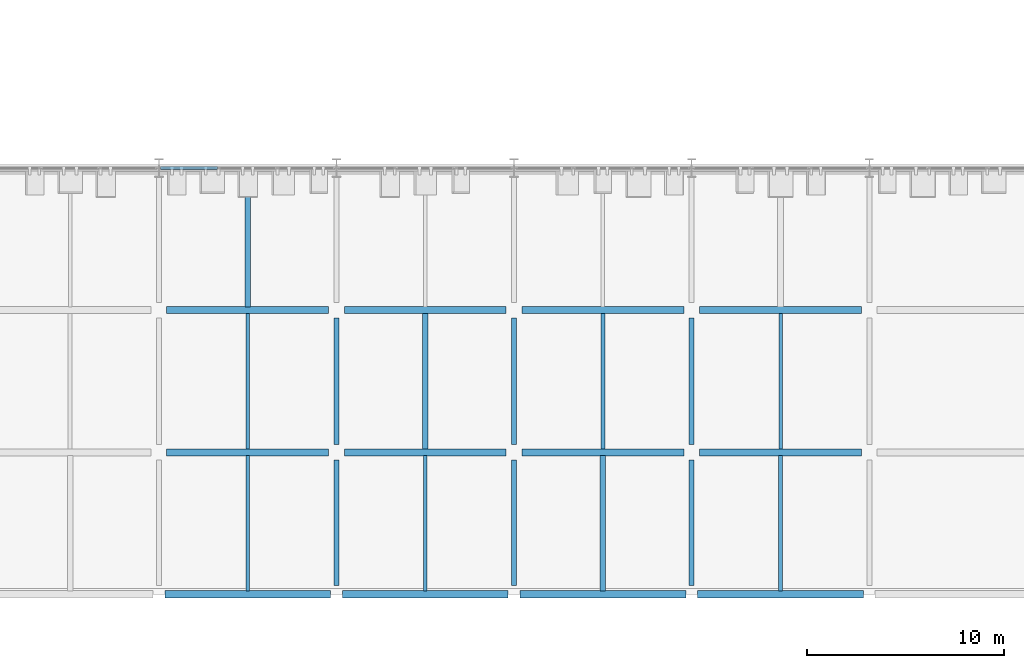
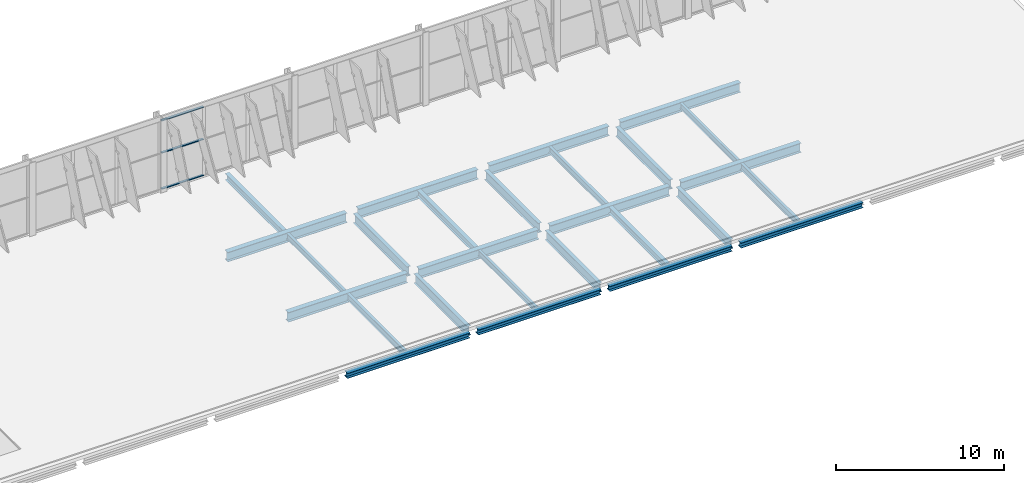
# One storey, part 25 of 189: 27 beams, 3 members, 1 element without a shape of its own.
"""IFC4 building model written with IfcOpenShell, lengths in metres."""

from ifc_helpers import new_model, si_unit, direction, frame, origin, origin_2d, place, context, subcontext, project, spatial, hollow_rectangle, i_section, extrude, material, layer, layer_set, material_profile, profile_set, type_object, element, aggregate, save


model = new_model("IFC4")

# Units and contexts
model_context = context("Model", 3, precision=1e-05, world=origin(), true_north=direction((0.0, 1.0)))
body_context = subcontext(model_context, "Body", "Model", "MODEL_VIEW")
ifc_project = project(units=[si_unit("LENGTHUNIT", "METRE"), si_unit("AREAUNIT", "SQUARE_METRE"), si_unit("VOLUMEUNIT", "CUBIC_METRE"), si_unit("PLANEANGLEUNIT", "RADIAN"), si_unit("MASSUNIT", "GRAM", prefix="KILO")], contexts=[model_context])

# Site, building, storey
site_placement = place(None, origin())
site = spatial("IfcSite", under=ifc_project, at=site_placement, CompositionType="ELEMENT")
building_placement = place(site_placement, origin())
building = spatial("IfcBuilding", under=site, at=building_placement, Name="Celestram Park Convention Centre", CompositionType="ELEMENT")
storey_placement = place(building_placement, frame((0.0, 0.0, 5.39990234375)))
storey = spatial("IfcBuildingStorey", under=building, at=storey_placement, Name="L01", CompositionType="ELEMENT", Elevation=5.39990234375)

# Curtain wall, members
ifc_material_1 = material(Name="Anodised Aluminium Alloy 6063-T6", Category="aluminium")
ifc_layer = layer(ifc_material_1, 0.179931640625)
ifc_layer_set = layer_set([ifc_layer], Name="Anodised Aluminium Alloy 6063-T6")
curtain_wall_type = type_object("IfcCurtainWallType", Name="ARC-CW-898X503", PredefinedType="NOTDEFINED", material=ifc_layer_set)
curtain_wall_placement = place(storey_placement, origin())
curtain_wall = element("IfcCurtainWall", 1, at=curtain_wall_placement, inside=storey, type_object=curtain_wall_type, Name="Unitised curtain wall CU-L01-133", PredefinedType="NOTDEFINED")
ifc_material_profile_1 = material_profile(ifc_material_1, hollow_rectangle(XDim=0.14990234375, YDim=0.06494140625, WallThickness=0.0029296875, at=origin_2d()), Name="ALU150X65X3")
ifc_profile_set_1 = profile_set([ifc_material_profile_1], Name="Anodised Aluminium Alloy 6063-T6")
member_type = type_object("IfcMemberType", Name="ARC-CWT-150", PredefinedType="USERDEFINED", material=ifc_profile_set_1)
member_1_placement = place(storey_placement, frame((65.9658203125, 21.60009765625, 0.03271484375), z_axis=(-1.0, 0.0, 0.0), x_axis=(0.0, -1.0, 0.0)))
member_1 = element("IfcMember", 2, at=member_1_placement, type_object=member_type, Name="CW-89X50 transom 3.1", ObjectType="TRANSOM", PredefinedType="USERDEFINED", context=body_context, shape_type="SweptSolid", body=[
    extrude(hollow_rectangle(XDim=0.14990234375, YDim=0.06494140625, WallThickness=0.0029296875, at=origin_2d()), origin(), (0.0, 0.0, 1.0), 2.880859375),
])
member_2_placement = place(storey_placement, frame((65.9658203125, 21.60009765625, 2.650146484375), z_axis=(-1.0, 0.0, 0.0), x_axis=(0.0, -1.0, 0.0)))
member_2 = element("IfcMember", 3, at=member_2_placement, type_object=member_type, Name="CW-89X50 transom 3.2", ObjectType="TRANSOM", PredefinedType="USERDEFINED", context=body_context, shape_type="SweptSolid", body=[
    extrude(hollow_rectangle(XDim=0.14990234375, YDim=0.06494140625, WallThickness=0.0029296875, at=origin_2d()), origin(), (0.0, 0.0, 1.0), 2.880859375),
])
member_3_placement = place(storey_placement, frame((65.9658203125, 21.60009765625, 4.99462890625), z_axis=(-1.0, 0.0, 0.0), x_axis=(0.0, -1.0, 0.0)))
member_3 = element("IfcMember", 4, at=member_3_placement, type_object=member_type, Name="CW-89X50 transom 3.3", ObjectType="TRANSOM", PredefinedType="USERDEFINED", context=body_context, shape_type="SweptSolid", body=[
    extrude(hollow_rectangle(XDim=0.14990234375, YDim=0.06494140625, WallThickness=0.0029296875, at=origin_2d()), origin(), (0.0, 0.0, 1.0), 2.880859375),
])
aggregate(curtain_wall, [member_1, member_2, member_3])

# Beams
ifc_material_2 = material(Name="Steel ASTM A992 Grade 50", Category="steel")
ifc_material_profile_2 = material_profile(ifc_material_2, i_section(OverallWidth=0.35595703125, OverallDepth=0.696044921875, WebThickness=0.015380859375, FlangeThickness=0.02490234375, at=origin_2d()), Name="W27X146")
ifc_profile_set_2 = profile_set([ifc_material_profile_2], Name="Steel ASTM A992 Grade 50")
beam_type_1 = type_object("IfcBeamType", Name="STR-BM-W27X146", PredefinedType="BEAM", material=ifc_profile_set_2)
for number, where, z_axis, x_axis, name in (
    (5, (63.39794921875, 7.199951171875, -0.587890625), (1.0, 0.0, 0.0), (0.0, 1.0, 0.0), "Primary X-girder BG-L01-0103"),
    (6, (63.39794921875, 14.39990234375, -0.587890625), (1.0, 0.0, 0.0), (0.0, 1.0, 0.0), "Primary X-girder BG-L01-0105"),
    (7, (72.39794921875, 7.199951171875, -0.587890625), (1.0, 0.0, 0.0), (0.0, 1.0, 0.0), "Primary X-girder BG-L01-0122"),
    (8, (72.39794921875, 14.39990234375, -0.587890625), (1.0, 0.0, 0.0), (0.0, 1.0, 0.0), "Primary X-girder BG-L01-0124"),
    (9, (81.39794921875, 7.199951171875, -0.587890625), (1.0, 0.0, 0.0), (0.0, 1.0, 0.0), "Primary X-girder BG-L01-0143"),
    (10, (81.39794921875, 14.39990234375, -0.587890625), (1.0, 0.0, 0.0), (0.0, 1.0, 0.0), "Primary X-girder BG-L01-0145"),
    (11, (90.39794921875, 7.199951171875, -0.587890625), (1.0, 0.0, 0.0), (0.0, 1.0, 0.0), "Primary X-girder BG-L01-0165"),
    (12, (90.39794921875, 14.39990234375, -0.587890625), (1.0, 0.0, 0.0), (0.0, 1.0, 0.0), "Primary X-girder BG-L01-0167"),
):
    element("IfcBeam", number, at=place(storey_placement, frame(where, z_axis=z_axis, x_axis=x_axis)), inside=storey, type_object=beam_type_1, Name=name, PredefinedType="BEAM", context=body_context, shape_type="SweptSolid", body=[
        extrude(i_section(OverallWidth=0.35595703125, OverallDepth=0.696044921875, WebThickness=0.015380859375, FlangeThickness=0.02490234375, at=origin_2d()), origin(), (0.0, 0.0, 1.0), 8.2041015625),
    ])
ifc_material_profile_3 = material_profile(ifc_material_2, i_section(OverallWidth=0.25390625, OverallDepth=0.68310546875, WebThickness=0.012451171875, FlangeThickness=0.01904296875, at=origin_2d()), Name="W27X94")
ifc_profile_set_3 = profile_set([ifc_material_profile_3], Name="Steel ASTM A992 Grade 50")
beam_type_2 = type_object("IfcBeamType", Name="STR-BM-W27X94", PredefinedType="BEAM", material=ifc_profile_set_3)
beam_1_placement = place(storey_placement, frame((72.0, 0.447998046875, -0.581298828125), z_axis=(0.0, 1.0, 0.0), x_axis=(-1.0, 0.0, 0.0)))
element("IfcBeam", 13, at=beam_1_placement, inside=storey, type_object=beam_type_2, Name="Primary Y-girder BG-L01-0121", PredefinedType="BEAM", context=body_context, shape_type="SweptSolid", body=[
    extrude(i_section(OverallWidth=0.25390625, OverallDepth=0.68310546875, WebThickness=0.012451171875, FlangeThickness=0.01904296875, at=origin_2d()), origin(), (0.0, 0.0, 1.0), 6.35400390625),
])
beam_2_placement = place(storey_placement, frame((72.0, 7.597900390625, -0.581298828125), z_axis=(0.0, 1.0, 0.0), x_axis=(-1.0, 0.0, 0.0)))
element("IfcBeam", 14, at=beam_2_placement, inside=storey, type_object=beam_type_2, Name="Primary Y-girder BG-L01-0123", PredefinedType="BEAM", context=body_context, shape_type="SweptSolid", body=[
    extrude(i_section(OverallWidth=0.25390625, OverallDepth=0.68310546875, WebThickness=0.012451171875, FlangeThickness=0.01904296875, at=origin_2d()), origin(), (0.0, 0.0, 1.0), 6.404052734375),
])
beam_3_placement = place(storey_placement, frame((81.0, 0.447998046875, -0.581298828125), z_axis=(0.0, 1.0, 0.0), x_axis=(-1.0, 0.0, 0.0)))
element("IfcBeam", 15, at=beam_3_placement, inside=storey, type_object=beam_type_2, Name="Primary Y-girder BG-L01-0142", PredefinedType="BEAM", context=body_context, shape_type="SweptSolid", body=[
    extrude(i_section(OverallWidth=0.25390625, OverallDepth=0.68310546875, WebThickness=0.012451171875, FlangeThickness=0.01904296875, at=origin_2d()), origin(), (0.0, 0.0, 1.0), 6.35400390625),
])
beam_4_placement = place(storey_placement, frame((81.0, 7.597900390625, -0.581298828125), z_axis=(0.0, 1.0, 0.0), x_axis=(-1.0, 0.0, 0.0)))
element("IfcBeam", 16, at=beam_4_placement, inside=storey, type_object=beam_type_2, Name="Primary Y-girder BG-L01-0144", PredefinedType="BEAM", context=body_context, shape_type="SweptSolid", body=[
    extrude(i_section(OverallWidth=0.25390625, OverallDepth=0.68310546875, WebThickness=0.012451171875, FlangeThickness=0.01904296875, at=origin_2d()), origin(), (0.0, 0.0, 1.0), 6.404052734375),
])
beam_5_placement = place(storey_placement, frame((90.0, 0.447998046875, -0.581298828125), z_axis=(0.0, 1.0, 0.0), x_axis=(-1.0, 0.0, 0.0)))
element("IfcBeam", 17, at=beam_5_placement, inside=storey, type_object=beam_type_2, Name="Primary Y-girder BG-L01-0164", PredefinedType="BEAM", context=body_context, shape_type="SweptSolid", body=[
    extrude(i_section(OverallWidth=0.25390625, OverallDepth=0.68310546875, WebThickness=0.012451171875, FlangeThickness=0.01904296875, at=origin_2d()), origin(), (0.0, 0.0, 1.0), 6.35400390625),
])
beam_6_placement = place(storey_placement, frame((90.0, 7.597900390625, -0.581298828125), z_axis=(0.0, 1.0, 0.0), x_axis=(-1.0, 0.0, 0.0)))
element("IfcBeam", 18, at=beam_6_placement, inside=storey, type_object=beam_type_2, Name="Primary Y-girder BG-L01-0166", PredefinedType="BEAM", context=body_context, shape_type="SweptSolid", body=[
    extrude(i_section(OverallWidth=0.25390625, OverallDepth=0.68310546875, WebThickness=0.012451171875, FlangeThickness=0.01904296875, at=origin_2d()), origin(), (0.0, 0.0, 1.0), 6.404052734375),
])
ifc_material_profile_4 = material_profile(ifc_material_2, i_section(OverallWidth=0.177978515625, OverallDepth=0.406005859375, WebThickness=0.0078125, FlangeThickness=0.0126953125, at=origin_2d()), Name="W16X40")
ifc_profile_set_4 = profile_set([ifc_material_profile_4], Name="Steel ASTM A992 Grade 50")
beam_type_3 = type_object("IfcBeamType", Name="STR-JST-W16X40", PredefinedType="JOIST", material=ifc_profile_set_4)
beam_7_placement = place(storey_placement, frame((67.5, 7.3740234375, -0.44287109375), z_axis=(0.0, 1.0, 0.0), x_axis=(-1.0, 0.0, 0.0)))
element("IfcBeam", 19, at=beam_7_placement, inside=storey, type_object=beam_type_3, Name="Secondary composite joist BG-L01-0583", PredefinedType="JOIST", context=body_context, shape_type="SweptSolid", body=[
    extrude(i_section(OverallWidth=0.177978515625, OverallDepth=0.406005859375, WebThickness=0.0078125, FlangeThickness=0.0126953125, at=origin_2d()), origin(), (0.0, 0.0, 1.0), 6.85205078125),
])
beam_8_placement = place(storey_placement, frame((76.5, 0.181884765625, -0.44287109375), z_axis=(0.0, 1.0, 0.0), x_axis=(-1.0, 0.0, 0.0)))
element("IfcBeam", 20, at=beam_8_placement, inside=storey, type_object=beam_type_3, Name="Secondary composite joist BG-L01-0588", PredefinedType="JOIST", context=body_context, shape_type="SweptSolid", body=[
    extrude(i_section(OverallWidth=0.177978515625, OverallDepth=0.406005859375, WebThickness=0.0078125, FlangeThickness=0.0126953125, at=origin_2d()), origin(), (0.0, 0.0, 1.0), 6.843994140625),
])
beam_9_placement = place(storey_placement, frame((94.5, 7.3740234375, -0.44287109375), z_axis=(0.0, 1.0, 0.0), x_axis=(-1.0, 0.0, 0.0)))
element("IfcBeam", 21, at=beam_9_placement, inside=storey, type_object=beam_type_3, Name="Secondary composite joist BG-L01-0606", PredefinedType="JOIST", context=body_context, shape_type="SweptSolid", body=[
    extrude(i_section(OverallWidth=0.177978515625, OverallDepth=0.406005859375, WebThickness=0.0078125, FlangeThickness=0.0126953125, at=origin_2d()), origin(), (0.0, 0.0, 1.0), 6.85205078125),
])
ifc_material_profile_5 = material_profile(ifc_material_2, i_section(OverallWidth=0.19091796875, OverallDepth=0.45703125, WebThickness=0.009033203125, FlangeThickness=0.014404296875, at=origin_2d()), Name="W18X50")
ifc_profile_set_5 = profile_set([ifc_material_profile_5], Name="Steel ASTM A992 Grade 50")
beam_type_4 = type_object("IfcBeamType", Name="STR-JST-W18X50", PredefinedType="JOIST", material=ifc_profile_set_5)
beam_10_placement = place(storey_placement, frame((67.5, 0.181884765625, -0.468505859375), z_axis=(0.0, 1.0, 0.0), x_axis=(-1.0, 0.0, 0.0)))
element("IfcBeam", 22, at=beam_10_placement, inside=storey, type_object=beam_type_4, Name="Secondary composite joist BG-L01-0582", PredefinedType="JOIST", context=body_context, shape_type="SweptSolid", body=[
    extrude(i_section(OverallWidth=0.19091796875, OverallDepth=0.45703125, WebThickness=0.009033203125, FlangeThickness=0.014404296875, at=origin_2d()), origin(), (0.0, 0.0, 1.0), 6.843994140625),
])
beam_11_placement = place(storey_placement, frame((85.5, 7.3740234375, -0.468505859375), z_axis=(0.0, 1.0, 0.0), x_axis=(-1.0, 0.0, 0.0)))
element("IfcBeam", 23, at=beam_11_placement, inside=storey, type_object=beam_type_4, Name="Secondary composite joist BG-L01-0598", PredefinedType="JOIST", context=body_context, shape_type="SweptSolid", body=[
    extrude(i_section(OverallWidth=0.19091796875, OverallDepth=0.45703125, WebThickness=0.009033203125, FlangeThickness=0.014404296875, at=origin_2d()), origin(), (0.0, 0.0, 1.0), 6.85205078125),
])
beam_12_placement = place(storey_placement, frame((94.5, 0.181884765625, -0.468505859375), z_axis=(0.0, 1.0, 0.0), x_axis=(-1.0, 0.0, 0.0)))
element("IfcBeam", 24, at=beam_12_placement, inside=storey, type_object=beam_type_4, Name="Secondary composite joist BG-L01-0605", PredefinedType="JOIST", context=body_context, shape_type="SweptSolid", body=[
    extrude(i_section(OverallWidth=0.19091796875, OverallDepth=0.45703125, WebThickness=0.009033203125, FlangeThickness=0.014404296875, at=origin_2d()), origin(), (0.0, 0.0, 1.0), 6.843994140625),
])
ifc_material_profile_6 = material_profile(ifc_material_2, i_section(OverallWidth=0.281982421875, OverallDepth=0.467041015625, WebThickness=0.01220703125, FlangeThickness=0.01953125, at=origin_2d()), Name="W18X86")
ifc_profile_set_6 = profile_set([ifc_material_profile_6], Name="Steel ASTM A992 Grade 50")
beam_type_5 = type_object("IfcBeamType", Name="STR-JST-W18X86", PredefinedType="JOIST", material=ifc_profile_set_6)
beam_13_placement = place(storey_placement, frame((67.5, 14.573974609375, -0.473388671875), z_axis=(0.0, 1.0, 0.0), x_axis=(-1.0, 0.0, 0.0)))
element("IfcBeam", 25, at=beam_13_placement, inside=storey, type_object=beam_type_5, Name="Secondary composite joist BG-L01-0584", PredefinedType="JOIST", context=body_context, shape_type="SweptSolid", body=[
    extrude(i_section(OverallWidth=0.281982421875, OverallDepth=0.467041015625, WebThickness=0.01220703125, FlangeThickness=0.01953125, at=origin_2d()), origin(), (0.0, 0.0, 1.0), 6.843994140625),
])
beam_14_placement = place(storey_placement, frame((76.5, 7.3740234375, -0.473388671875), z_axis=(0.0, 1.0, 0.0), x_axis=(-1.0, 0.0, 0.0)))
element("IfcBeam", 26, at=beam_14_placement, inside=storey, type_object=beam_type_5, Name="Secondary composite joist BG-L01-0589", PredefinedType="JOIST", context=body_context, shape_type="SweptSolid", body=[
    extrude(i_section(OverallWidth=0.281982421875, OverallDepth=0.467041015625, WebThickness=0.01220703125, FlangeThickness=0.01953125, at=origin_2d()), origin(), (0.0, 0.0, 1.0), 6.85205078125),
])
beam_15_placement = place(storey_placement, frame((85.5, 0.181884765625, -0.473388671875), z_axis=(0.0, 1.0, 0.0), x_axis=(-1.0, 0.0, 0.0)))
element("IfcBeam", 27, at=beam_15_placement, inside=storey, type_object=beam_type_5, Name="Secondary composite joist BG-L01-0597", PredefinedType="JOIST", context=body_context, shape_type="SweptSolid", body=[
    extrude(i_section(OverallWidth=0.281982421875, OverallDepth=0.467041015625, WebThickness=0.01220703125, FlangeThickness=0.01953125, at=origin_2d()), origin(), (0.0, 0.0, 1.0), 6.843994140625),
])
ifc_material_profile_7 = material_profile(ifc_material_2, i_section(OverallWidth=0.373046875, OverallDepth=0.373046875, WebThickness=0.016357421875, FlangeThickness=0.026123046875, at=origin_2d()), Name="W14X132")
ifc_profile_set_7 = profile_set([ifc_material_profile_7], Name="Steel ASTM A992 Grade 50")
beam_type_6 = type_object("IfcBeamType", Name="STR-SPN-W14X132", PredefinedType="SPANDREL", material=ifc_profile_set_7)
for number, where, z_axis, x_axis, name in (
    (28, (63.298095703125, 0.0, -0.426513671875), (1.0, 0.0, 0.0), (0.0, 1.0, 0.0), "Primary X-girder BG-L01-0101"),
    (29, (72.298095703125, 0.0, -0.426513671875), (1.0, 0.0, 0.0), (0.0, 1.0, 0.0), "Primary X-girder BG-L01-0120"),
    (30, (81.298095703125, 0.0, -0.426513671875), (1.0, 0.0, 0.0), (0.0, 1.0, 0.0), "Primary X-girder BG-L01-0141"),
    (31, (90.298095703125, 0.0, -0.426513671875), (1.0, 0.0, 0.0), (0.0, 1.0, 0.0), "Primary X-girder BG-L01-0163"),
):
    element("IfcBeam", number, at=place(storey_placement, frame(where, z_axis=z_axis, x_axis=x_axis)), inside=storey, type_object=beam_type_6, Name=name, PredefinedType="SPANDREL", context=body_context, shape_type="SweptSolid", body=[
        extrude(i_section(OverallWidth=0.373046875, OverallDepth=0.373046875, WebThickness=0.016357421875, FlangeThickness=0.026123046875, at=origin_2d()), origin(), (0.0, 0.0, 1.0), 8.40380859375),
    ])

save(model, "model.ifc")
